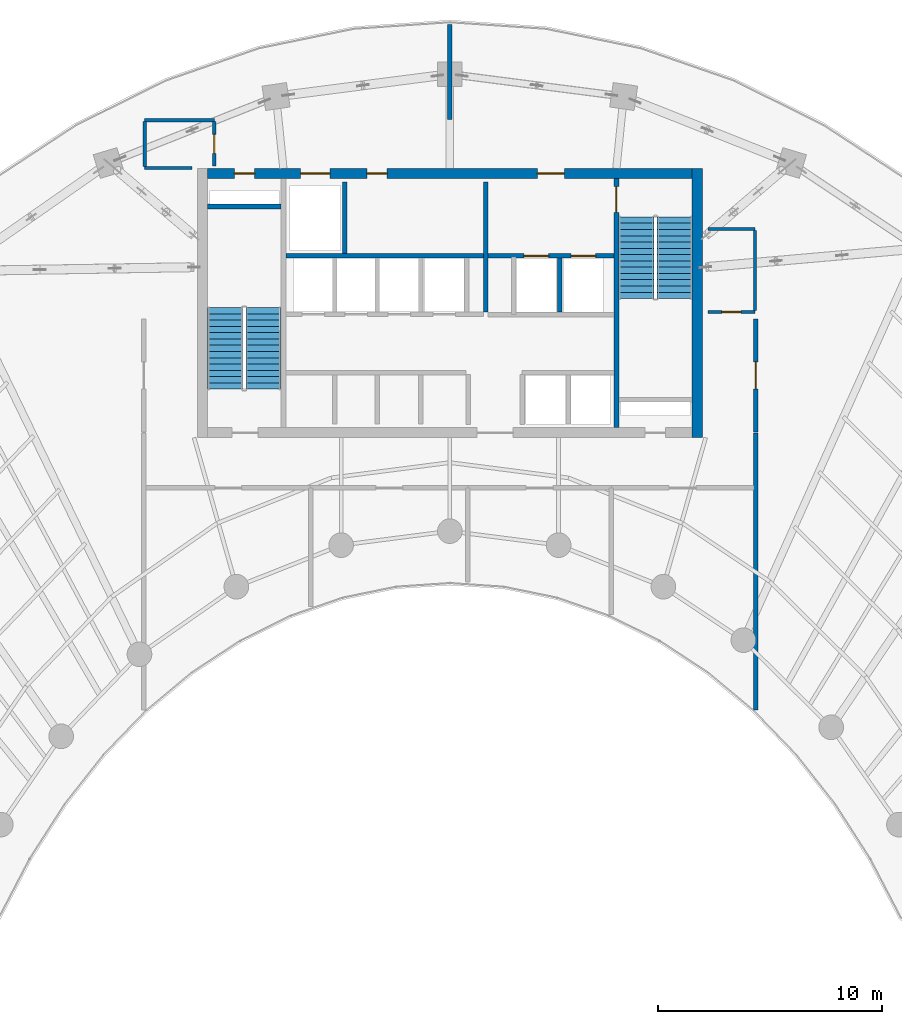
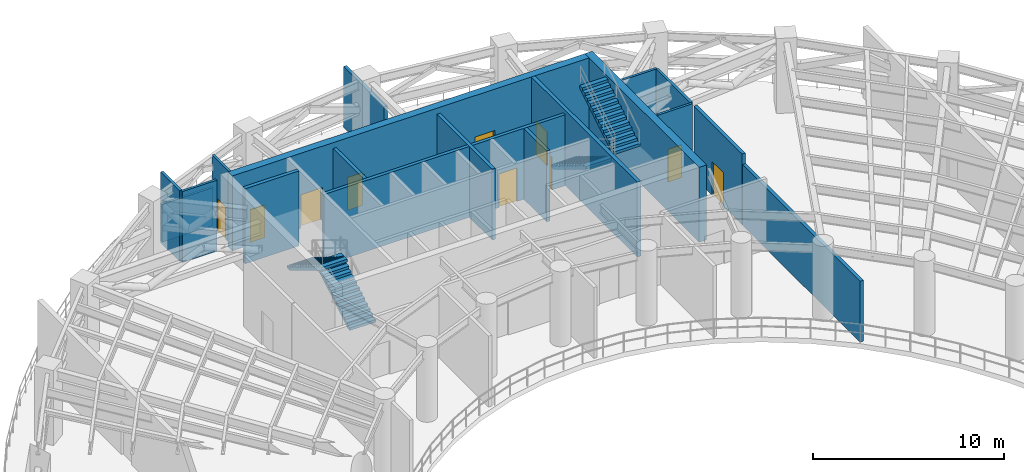
# One storey, part 9 of 19: 19 walls, 10 doors, 4 stair flights, 10 openings, 2 elements without a shape of their own.
"""IFC4 building model written with IfcOpenShell, lengths in metres."""

from ifc_helpers import new_model, si_unit, direction, frame, frame_2d, origin, place, context, subcontext, project, spatial, polyline, rectangle, outline, extrude, source, transform, mapped, material, layer, layer_set, type_object, type_shapes, element, fill, aggregate, save


model = new_model("IFC4")

# Units and contexts
model_context = context("Model", 3, precision=1e-05, world=origin(), true_north=direction((0.0, 1.0)))
body_context = subcontext(model_context, "Body", "Model", "MODEL_VIEW")
ifc_project = project(units=[si_unit("LENGTHUNIT", "METRE"), si_unit("AREAUNIT", "SQUARE_METRE"), si_unit("VOLUMEUNIT", "CUBIC_METRE"), si_unit("PLANEANGLEUNIT", "RADIAN"), si_unit("MASSUNIT", "GRAM", prefix="KILO")], contexts=[model_context])

# Site, building, storey
site_placement = place(None, origin())
site = spatial("IfcSite", under=ifc_project, at=site_placement, CompositionType="ELEMENT")
building_placement = place(site_placement, origin())
building = spatial("IfcBuilding", under=site, at=building_placement, Name="Breltana Convention Tower", CompositionType="ELEMENT")
storey_placement = place(building_placement, frame((0.0, 0.0, 194.39990234375)))
storey = spatial("IfcBuildingStorey", under=building, at=storey_placement, Name="L47", CompositionType="ELEMENT", Elevation=194.39990234375)

# Walls
ifc_material_1 = material(Name="Concrete C50/60", Category="concrete")
ifc_layer_1 = layer(ifc_material_1, 0.39990234375, Name="Concrete C50/60")
ifc_layer_set_1 = layer_set([ifc_layer_1], Name="Concrete C50/60")
wall_type_1 = type_object("IfcWallType", Name="SW-CORE-400", PredefinedType="SHEAR", material=ifc_layer_set_1)
shared_shape_1 = source(origin(), body_context, "Body", "SweptSolid", [
    extrude(rectangle(XDim=3.27001953125, YDim=0.219970703125, at=frame_2d((1.635009765625, 0.0))), origin(), (0.0, 0.0, 1.0), 4.800048828125),
])
wall_1_placement = place(storey_placement, frame((37.199951171875, 70.510009765625, 0.0), z_axis=(0.0, 0.0, 1.0), x_axis=(1.0, 0.0, 0.0)))
element("IfcWall", 1, at=wall_1_placement, inside=storey, type_object=wall_type_1, Name="L47 ST-1 Stairwell North Bearing Wall", PredefinedType="SHEAR", context=body_context, shape_type="MappedRepresentation", body=[
    mapped(shared_shape_1, transform((0.0, 0.0, 0.0), scale=1.0)),
])
ifc_material_2 = material(Name="Concrete C60/75", Category="concrete")
ifc_layer_2 = layer(ifc_material_2, 0.449951171875, Name="Concrete C60/75")
ifc_layer_set_2 = layer_set([ifc_layer_2], Name="Concrete C60/75")
wall_type_2 = type_object("IfcWallType", Name="SW-CORE-450", PredefinedType="SHEAR", material=ifc_layer_set_2)
shared_shape_2 = source(origin(), body_context, "Body", "SweptSolid", [
    extrude(rectangle(XDim=12.0, YDim=0.449951171875, at=frame_2d((6.0, 0.0))), origin(), (0.0, 0.0, 1.0), 4.800048828125),
])
wall_2_placement = place(storey_placement, frame((59.02490234375, 60.199951171875, 0.0), z_axis=(0.0, 0.0, 1.0), x_axis=(0.0, 1.0, 0.0)))
element("IfcWall", 2, at=wall_2_placement, inside=storey, type_object=wall_type_2, Name="L47 East Core Shear Wall", PredefinedType="SHEAR", context=body_context, shape_type="MappedRepresentation", body=[
    mapped(shared_shape_2, transform((0.0, 0.0, 0.0), scale=1.0)),
])

# Wall, openings, doors
shared_shape_3 = source(origin(), body_context, "Body", "SweptSolid", [
    extrude(rectangle(XDim=21.60009765625, YDim=0.449951171875, at=frame_2d((10.800048828125, 0.0))), origin(), (0.0, 0.0, 1.0), 4.800048828125),
])
wall_3_placement = place(storey_placement, frame((37.199951171875, 71.97509765625, 0.0), z_axis=(0.0, 0.0, 1.0), x_axis=(1.0, 0.0, 0.0)))
wall_3 = element("IfcWall", 3, at=wall_3_placement, inside=storey, type_object=wall_type_2, Name="L47 North Core Shear Wall", PredefinedType="SHEAR", context=body_context, shape_type="MappedRepresentation", body=[
    mapped(shared_shape_3, transform((0.0, 0.0, 0.0), scale=1.0)),
])
opening_1_placement = place(wall_3_placement, frame((1.199951171875, 0.0, 0.0)))
opening_1 = element("IfcOpeningElement", 4, at=opening_1_placement, cuts=wall_3, Name="Opening D-18", PredefinedType="OPENING", context=body_context, shape_type="SweptSolid", body=[
    extrude(rectangle(XDim=0.89990234375, YDim=2.10009765625, at=frame_2d((0.449951171875, 1.050048828125))), frame((0.0, 0.23486328125, 0.0), z_axis=(0.0, -1.0, 0.0), x_axis=(1.0, 0.0, 0.0)), (0.0, 0.0, 1.0), 0.469970703125),
])
opening_2_placement = place(wall_3_placement, frame((14.699951171875, 0.0, 0.0)))
opening_2 = element("IfcOpeningElement", 5, at=opening_2_placement, cuts=wall_3, Name="Opening D-09", PredefinedType="OPENING", context=body_context, shape_type="SweptSolid", body=[
    extrude(rectangle(XDim=1.199951171875, YDim=2.14990234375, at=frame_2d((0.60009765625, 1.074951171875))), frame((0.0, 0.23486328125, 0.0), z_axis=(0.0, -1.0, 0.0), x_axis=(1.0, 0.0, 0.0)), (0.0, 0.0, 1.0), 0.469970703125),
])
opening_3_placement = place(wall_3_placement, frame((4.14990234375, 0.0, 0.0)))
opening_3 = element("IfcOpeningElement", 6, at=opening_3_placement, cuts=wall_3, Name="Opening LD-01", PredefinedType="OPENING", context=body_context, shape_type="SweptSolid", body=[
    extrude(rectangle(XDim=1.300048828125, YDim=2.14990234375, at=frame_2d((0.64990234375, 1.074951171875))), frame((0.0, 0.23486328125, 0.0), z_axis=(0.0, -1.0, 0.0), x_axis=(1.0, 0.0, 0.0)), (0.0, 0.0, 1.0), 0.469970703125),
])
opening_4_placement = place(wall_3_placement, frame((7.10009765625, 0.0, 0.0)))
opening_4 = element("IfcOpeningElement", 7, at=opening_4_placement, cuts=wall_3, Name="Opening D-18", PredefinedType="OPENING", context=body_context, shape_type="SweptSolid", body=[
    extrude(rectangle(XDim=0.89990234375, YDim=2.10009765625, at=frame_2d((0.449951171875, 1.050048828125))), frame((0.0, 0.23486328125, 0.0), z_axis=(0.0, -1.0, 0.0), x_axis=(1.0, 0.0, 0.0)), (0.0, 0.0, 1.0), 0.469970703125),
])
ifc_material_3 = material(Name="Steel Riser Fire Door", Category="steel")
door_type_1 = type_object("IfcDoorType", Name="DR-FD60-900", OperationType="NOTDEFINED", PredefinedType="DOOR", material=ifc_material_3)
shared_shape_4 = source(origin(), body_context, "Body", "SweptSolid", [
    extrude(rectangle(XDim=0.89990234375, YDim=2.10009765625, at=frame_2d((0.449951171875, 1.050048828125))), frame((0.0, 0.02490234375, 0.0), z_axis=(0.0, -1.0, 0.0), x_axis=(1.0, 0.0, 0.0)), (0.0, 0.0, 1.0), 0.050048828125),
])
type_shapes(door_type_1, [shared_shape_4])
door_1_placement = place(opening_1_placement, origin())
door_1 = element("IfcDoor", 8, at=door_1_placement, inside=storey, type_object=door_type_1, Name="L47 Core Riser Access Door D-L47-RS1", OperationType="SINGLE_SWING_LEFT", OverallHeight=2.10009765625, OverallWidth=0.89990234375, PredefinedType="DOOR", context=body_context, shape_type="MappedRepresentation", body=[
    mapped(shared_shape_4, transform((0.0, 0.0, 0.0), scale=1.0)),
])
fill(opening_1, door_1)
door_2_placement = place(opening_4_placement, origin())
door_2 = element("IfcDoor", 9, at=door_2_placement, inside=storey, type_object=door_type_1, Name="L47 interior door D-L47-CRA1", OperationType="SINGLE_SWING_LEFT", OverallHeight=2.10009765625, OverallWidth=0.89990234375, PredefinedType="DOOR", context=body_context, shape_type="MappedRepresentation", body=[
    mapped(shared_shape_4, transform((0.0, 0.0, 0.0), scale=1.0)),
])
fill(opening_4, door_2)
ifc_material_4 = material(Name="Steel Fire Lobby Door", Category="steel")
door_type_2 = type_object("IfcDoorType", Name="DR-FD120-1200", OperationType="NOTDEFINED", PredefinedType="DOOR", material=ifc_material_4)
shared_shape_5 = source(origin(), body_context, "Body", "SweptSolid", [
    extrude(rectangle(XDim=1.199951171875, YDim=2.14990234375, at=frame_2d((0.60009765625, 1.074951171875))), frame((0.0, 0.02490234375, 0.0), z_axis=(0.0, -1.0, 0.0), x_axis=(1.0, 0.0, 0.0)), (0.0, 0.0, 1.0), 0.050048828125),
])
type_shapes(door_type_2, [shared_shape_5])
door_3_placement = place(opening_2_placement, origin())
door_3 = element("IfcDoor", 10, at=door_3_placement, inside=storey, type_object=door_type_2, Name="L47 interior door D-L47-FFL-N", OperationType="SINGLE_SWING_RIGHT", OverallHeight=2.14990234375, OverallWidth=1.199951171875, PredefinedType="DOOR", context=body_context, shape_type="MappedRepresentation", body=[
    mapped(shared_shape_5, transform((0.0, 0.0, 0.0), scale=1.0)),
])
fill(opening_2, door_3)
ifc_material_5 = material(Name="Stainless Steel Brushed", Category="steel")
door_type_3 = type_object("IfcDoorType", Name="DR-LD-SRV-1300", OperationType="DOUBLE_DOOR_SLIDING", PredefinedType="DOOR", material=ifc_material_5)
shared_shape_6 = source(origin(), body_context, "Body", "SweptSolid", [
    extrude(rectangle(XDim=1.300048828125, YDim=2.14990234375, at=frame_2d((0.64990234375, 1.074951171875))), frame((0.0, 0.02490234375, 0.0), z_axis=(0.0, -1.0, 0.0), x_axis=(1.0, 0.0, 0.0)), (0.0, 0.0, 1.0), 0.050048828125),
])
type_shapes(door_type_3, [shared_shape_6])
door_4_placement = place(opening_3_placement, origin())
door_4 = element("IfcDoor", 11, at=door_4_placement, inside=storey, type_object=door_type_3, Name="L47 Lift Landing Door D-L47-LD-SV1", OperationType="DOUBLE_DOOR_SLIDING", OverallHeight=2.14990234375, OverallWidth=1.300048828125, PredefinedType="DOOR", context=body_context, shape_type="MappedRepresentation", body=[
    mapped(shared_shape_6, transform((0.0, 0.0, 0.0), scale=1.0)),
])
fill(opening_3, door_4)

# Wall, opening, door
shared_shape_7 = source(origin(), body_context, "Body", "SweptSolid", [
    extrude(rectangle(XDim=11.10009765625, YDim=0.219970703125, at=frame_2d((5.550048828125, 0.0))), origin(), (0.0, 0.0, 1.0), 4.800048828125),
])
wall_4_placement = place(storey_placement, frame((55.419921875, 60.64990234375, 0.0), z_axis=(0.0, 0.0, 1.0), x_axis=(0.0, 1.0, 0.0)))
wall_4 = element("IfcWall", 12, at=wall_4_placement, inside=storey, type_object=wall_type_1, Name="L47 Core East Stair Spine Wall", PredefinedType="SHEAR", context=body_context, shape_type="MappedRepresentation", body=[
    mapped(shared_shape_7, transform((0.0, 0.0, 0.0), scale=1.0)),
])
opening_5_placement = place(wall_4_placement, frame((9.594970703125, 0.0, 0.0)))
opening_5 = element("IfcOpeningElement", 13, at=opening_5_placement, cuts=wall_4, Name="Opening D-11", PredefinedType="OPENING", context=body_context, shape_type="SweptSolid", body=[
    extrude(rectangle(XDim=1.14990234375, YDim=2.14990234375, at=frame_2d((0.574951171875, 1.074951171875))), frame((0.0, 0.1201171875, 0.0), z_axis=(0.0, -1.0, 0.0), x_axis=(1.0, 0.0, 0.0)), (0.0, 0.0, 1.0), 0.239990234375),
])
ifc_material_6 = material(Name="Steel Stair Exit Door", Category="steel")
door_type_4 = type_object("IfcDoorType", Name="DR-FD120-1150", OperationType="NOTDEFINED", PredefinedType="DOOR", material=ifc_material_6)
shared_shape_8 = source(origin(), body_context, "Body", "SweptSolid", [
    extrude(rectangle(XDim=1.14990234375, YDim=2.14990234375, at=frame_2d((0.574951171875, 1.074951171875))), frame((0.0, 0.02490234375, 0.0), z_axis=(0.0, -1.0, 0.0), x_axis=(1.0, 0.0, 0.0)), (0.0, 0.0, 1.0), 0.050048828125),
])
type_shapes(door_type_4, [shared_shape_8])
door_5_placement = place(opening_5_placement, origin())
door_5 = element("IfcDoor", 14, at=door_5_placement, inside=storey, type_object=door_type_4, Name="L47 interior door D-L47-ST2", OperationType="SINGLE_SWING_LEFT", OverallHeight=2.14990234375, OverallWidth=1.14990234375, PredefinedType="DOOR", context=body_context, shape_type="MappedRepresentation", body=[
    mapped(shared_shape_8, transform((0.0, 0.0, 0.0), scale=1.0)),
])
fill(opening_5, door_5)

# Wall
ifc_material_7 = material(Name="Gypsum Acoustic Drywall Partition")
ifc_layer_3 = layer(ifc_material_7, 0.14990234375, Name="Gypsum Acoustic Drywall Partition")
ifc_layer_set_3 = layer_set([ifc_layer_3], Name="Gypsum Acoustic Drywall Partition")
wall_type_3 = type_object("IfcWallType", Name="WL-PART-150", PredefinedType="PARTITIONING", material=ifc_layer_set_3)
shared_shape_9 = source(origin(), body_context, "Body", "SweptSolid", [
    extrude(rectangle(XDim=3.10009765625, YDim=0.14990234375, at=frame_2d((1.550048828125, 0.0))), origin(), (0.0, 0.0, 1.0), 2.424560546875),
])
wall_5_placement = place(storey_placement, frame((34.39990234375, 74.35009765625, 0.0), z_axis=(0.0, 0.0, 1.0), x_axis=(1.0, 0.0, 0.0)))
element("IfcWall", 15, at=wall_5_placement, inside=storey, type_object=wall_type_3, Name="L47 interior partition W-L47-CRNE-N", PredefinedType="PARTITIONING", context=body_context, shape_type="MappedRepresentation", body=[
    mapped(shared_shape_9, transform((0.0, 0.0, 0.0), scale=1.0)),
])

# Wall, openings, doors
ifc_material_8 = material(Name="Autoclaved Aerated Concrete Block", Category="concrete")
ifc_layer_4 = layer(ifc_material_8, 0.199951171875, Name="Autoclaved Aerated Concrete Block")
ifc_layer_set_4 = layer_set([ifc_layer_4], Name="Autoclaved Aerated Concrete Block")
wall_type_4 = type_object("IfcWallType", Name="WL-SHAFT-200", PredefinedType="SOLIDWALL", material=ifc_layer_set_4)
shared_shape_10 = source(origin(), body_context, "Body", "SweptSolid", [
    extrude(rectangle(XDim=5.6201171875, YDim=0.199951171875, at=frame_2d((2.81005859375, 0.0))), origin(), (0.0, 0.0, 1.0), 4.5400390625),
])
wall_6_placement = place(storey_placement, frame((49.699951171875, 68.300048828125, 0.0), z_axis=(0.0, 0.0, 1.0), x_axis=(1.0, 0.0, 0.0)))
wall_6 = element("IfcWall", 16, at=wall_6_placement, inside=storey, type_object=wall_type_4, Name="L47 interior partition W-L47-FFL-S", PredefinedType="SOLIDWALL", context=body_context, shape_type="MappedRepresentation", body=[
    mapped(shared_shape_10, transform((0.0, 0.0, 0.0), scale=1.0)),
])
opening_6_placement = place(wall_6_placement, frame((1.60009765625, 0.0, 0.0)))
opening_6 = element("IfcOpeningElement", 17, at=opening_6_placement, cuts=wall_6, Name="Opening LD-03", PredefinedType="OPENING", context=body_context, shape_type="SweptSolid", body=[
    extrude(rectangle(XDim=1.10009765625, YDim=2.14990234375, at=frame_2d((0.550048828125, 1.074951171875))), frame((0.0, 0.10986328125, 0.0), z_axis=(0.0, -1.0, 0.0), x_axis=(1.0, 0.0, 0.0)), (0.0, 0.0, 1.0), 0.219970703125),
])
opening_7_placement = place(wall_6_placement, frame((3.699951171875, 0.0, 0.0)))
opening_7 = element("IfcOpeningElement", 18, at=opening_7_placement, cuts=wall_6, Name="Opening LD-03", PredefinedType="OPENING", context=body_context, shape_type="SweptSolid", body=[
    extrude(rectangle(XDim=1.10009765625, YDim=2.14990234375, at=frame_2d((0.550048828125, 1.074951171875))), frame((0.0, 0.10986328125, 0.0), z_axis=(0.0, -1.0, 0.0), x_axis=(1.0, 0.0, 0.0)), (0.0, 0.0, 1.0), 0.219970703125),
])
door_type_5 = type_object("IfcDoorType", Name="DR-LD-FF-1100", OperationType="DOUBLE_DOOR_SLIDING", PredefinedType="DOOR", material=ifc_material_5)
shared_shape_11 = source(origin(), body_context, "Body", "SweptSolid", [
    extrude(rectangle(XDim=1.10009765625, YDim=2.14990234375, at=frame_2d((0.550048828125, 1.074951171875))), frame((0.0, 0.02490234375, 0.0), z_axis=(0.0, -1.0, 0.0), x_axis=(1.0, 0.0, 0.0)), (0.0, 0.0, 1.0), 0.050048828125),
])
type_shapes(door_type_5, [shared_shape_11])
door_6_placement = place(opening_6_placement, origin())
door_6 = element("IfcDoor", 19, at=door_6_placement, inside=storey, type_object=door_type_5, Name="L47 Lift Landing Door D-L47-LD-FL1", OperationType="DOUBLE_DOOR_SLIDING", OverallHeight=2.14990234375, OverallWidth=1.10009765625, PredefinedType="DOOR", context=body_context, shape_type="MappedRepresentation", body=[
    mapped(shared_shape_11, transform((0.0, 0.0, 0.0), scale=1.0)),
])
fill(opening_6, door_6)
door_7_placement = place(opening_7_placement, origin())
door_7 = element("IfcDoor", 20, at=door_7_placement, inside=storey, type_object=door_type_5, Name="L47 Lift Landing Door D-L47-LD-FL2", OperationType="DOUBLE_DOOR_SLIDING", OverallHeight=2.14990234375, OverallWidth=1.10009765625, PredefinedType="DOOR", context=body_context, shape_type="MappedRepresentation", body=[
    mapped(shared_shape_11, transform((0.0, 0.0, 0.0), scale=1.0)),
])
fill(opening_7, door_7)

# Walls
shared_shape_12 = source(origin(), body_context, "Body", "SweptSolid", [
    extrude(rectangle(XDim=5.800048828125, YDim=0.199951171875, at=frame_2d((2.89990234375, 0.0))), origin(), (0.0, 0.0, 1.0), 4.5400390625),
])
wall_7_placement = place(storey_placement, frame((49.60009765625, 65.800048828125, 0.0), z_axis=(0.0, 0.0, 1.0), x_axis=(0.0, 1.0, 0.0)))
element("IfcWall", 21, at=wall_7_placement, inside=storey, type_object=wall_type_4, Name="L47 interior partition W-L47-FFL-W", PredefinedType="SOLIDWALL", context=body_context, shape_type="MappedRepresentation", body=[
    mapped(shared_shape_12, transform((0.0, 0.0, 0.0), scale=1.0)),
])
shared_shape_13 = source(origin(), body_context, "Body", "SweptSolid", [
    extrude(rectangle(XDim=2.39990234375, YDim=0.199951171875, at=frame_2d((1.199951171875, 0.0))), origin(), (0.0, 0.0, 1.0), 4.5400390625),
])
wall_8_placement = place(storey_placement, frame((52.89990234375, 65.800048828125, 0.0), z_axis=(0.0, 0.0, 1.0), x_axis=(0.0, 1.0, 0.0)))
element("IfcWall", 22, at=wall_8_placement, inside=storey, type_object=wall_type_4, Name="L47 interior partition W-L47-FL-DIV", PredefinedType="SOLIDWALL", context=body_context, shape_type="MappedRepresentation", body=[
    mapped(shared_shape_13, transform((0.0, 0.0, 0.0), scale=1.0)),
])
shared_shape_14 = source(origin(), body_context, "Body", "SweptSolid", [
    extrude(rectangle(XDim=3.2001953125, YDim=0.199951171875, at=frame_2d((1.60009765625, 0.0))), origin(), (0.0, 0.0, 1.0), 4.5400390625),
])
wall_9_placement = place(storey_placement, frame((43.320068359375, 68.39990234375, 0.0), z_axis=(0.0, 0.0, 1.0), x_axis=(0.0, 1.0, 0.0)))
element("IfcWall", 23, at=wall_9_placement, inside=storey, type_object=wall_type_4, Name="L47 interior partition W-L47-SV-E", PredefinedType="SOLIDWALL", context=body_context, shape_type="MappedRepresentation", body=[
    mapped(shared_shape_14, transform((0.0, 0.0, 0.0), scale=1.0)),
])
shared_shape_15 = source(origin(), body_context, "Body", "SweptSolid", [
    extrude(rectangle(XDim=8.800048828125, YDim=0.199951171875, at=frame_2d((4.39990234375, 0.0))), origin(), (0.0, 0.0, 1.0), 4.5400390625),
])
wall_10_placement = place(storey_placement, frame((40.699951171875, 68.300048828125, 0.0), z_axis=(0.0, 0.0, 1.0), x_axis=(1.0, 0.0, 0.0)))
element("IfcWall", 24, at=wall_10_placement, inside=storey, type_object=wall_type_4, Name="L47 interior partition W-L47-SV-S", PredefinedType="SOLIDWALL", context=body_context, shape_type="MappedRepresentation", body=[
    mapped(shared_shape_15, transform((0.0, 0.0, 0.0), scale=1.0)),
])
shared_shape_16 = source(origin(), body_context, "Body", "SweptSolid", [
    extrude(rectangle(XDim=2.10009765625, YDim=0.14990234375, at=frame_2d((1.050048828125, 0.0))), origin(), (0.0, 0.0, 1.0), 4.5400390625),
])
wall_11_placement = place(storey_placement, frame((34.39990234375, 72.219970703125, 0.0), z_axis=(0.0, 0.0, 1.0), x_axis=(1.0, 0.0, 0.0)))
element("IfcWall", 25, at=wall_11_placement, inside=storey, type_object=wall_type_3, Name="L47 interior partition W-L47-CRNE-S", PredefinedType="PARTITIONING", context=body_context, shape_type="MappedRepresentation", body=[
    mapped(shared_shape_16, transform((0.0, 0.0, 0.0), scale=1.0)),
])

# Wall, opening, door
wall_12_placement = place(storey_placement, frame((59.5, 65.800048828125, 0.0), z_axis=(0.0, 0.0, 1.0), x_axis=(1.0, 0.0, 0.0)))
wall_12 = element("IfcWall", 26, at=wall_12_placement, inside=storey, type_object=wall_type_3, Name="L47 interior partition W-L47-CRSE-S", PredefinedType="PARTITIONING", context=body_context, shape_type="MappedRepresentation", body=[
    mapped(shared_shape_16, transform((0.0, 0.0, 0.0), scale=1.0)),
])
opening_8_placement = place(wall_12_placement, frame((0.625, 0.0, 0.0)))
opening_8 = element("IfcOpeningElement", 27, at=opening_8_placement, cuts=wall_12, Name="Opening D-20", PredefinedType="OPENING", context=body_context, shape_type="SweptSolid", body=[
    extrude(rectangle(XDim=0.85009765625, YDim=2.10009765625, at=frame_2d((0.425048828125, 1.050048828125))), frame((0.0, 0.0849609375, 0.0), z_axis=(0.0, -1.0, 0.0), x_axis=(1.0, 0.0, 0.0)), (0.0, 0.0, 1.0), 0.169921875),
])
ifc_material_9 = material(Name="Steel Closet Fire Door", Category="steel")
door_type_6 = type_object("IfcDoorType", Name="DR-FD60-850", OperationType="NOTDEFINED", PredefinedType="DOOR", material=ifc_material_9)
shared_shape_17 = source(origin(), body_context, "Body", "SweptSolid", [
    extrude(rectangle(XDim=0.85009765625, YDim=2.10009765625, at=frame_2d((0.425048828125, 1.050048828125))), frame((0.0, 0.02490234375, 0.0), z_axis=(0.0, -1.0, 0.0), x_axis=(1.0, 0.0, 0.0)), (0.0, 0.0, 1.0), 0.050048828125),
])
type_shapes(door_type_6, [shared_shape_17])
door_8_placement = place(opening_8_placement, origin())
door_8 = element("IfcDoor", 28, at=door_8_placement, inside=storey, type_object=door_type_6, Name="L47 interior door D-L47-CRSE", OperationType="SINGLE_SWING_LEFT", OverallHeight=2.10009765625, OverallWidth=0.85009765625, PredefinedType="DOOR", context=body_context, shape_type="MappedRepresentation", body=[
    mapped(shared_shape_17, transform((0.0, 0.0, 0.0), scale=1.0)),
])
fill(opening_8, door_8)

# Walls
wall_13_placement = place(storey_placement, frame((59.5, 69.5, 0.0), z_axis=(0.0, 0.0, 1.0), x_axis=(1.0, 0.0, 0.0)))
element("IfcWall", 29, at=wall_13_placement, inside=storey, type_object=wall_type_3, Name="L47 interior partition W-L47-CRSE-N", PredefinedType="PARTITIONING", context=body_context, shape_type="MappedRepresentation", body=[
    mapped(shared_shape_16, transform((0.0, 0.0, 0.0), scale=1.0)),
])
shared_shape_18 = source(origin(), body_context, "Body", "SweptSolid", [
    extrude(rectangle(XDim=1.994873046875, YDim=0.14990234375, at=frame_2d((0.99755859375, 0.0))), origin(), (0.0, 0.0, 1.0), 4.5400390625),
])
wall_14_placement = place(storey_placement, frame((34.39990234375, 72.28759765625, 0.0), z_axis=(0.0, 0.0, 1.0), x_axis=(0.0, 1.0, 0.0)))
element("IfcWall", 30, at=wall_14_placement, inside=storey, type_object=wall_type_3, Name="L47 interior partition W-L47-CRNE-W", PredefinedType="PARTITIONING", context=body_context, shape_type="MappedRepresentation", body=[
    mapped(shared_shape_18, transform((0.0, 0.0, 0.0), scale=1.0)),
])

# Wall, opening, door
shared_shape_19 = source(origin(), body_context, "Body", "SweptSolid", [
    extrude(rectangle(XDim=1.982421875, YDim=0.14990234375, at=frame_2d((0.9912109375, 0.0))), origin(), (0.0, 0.0, 1.0), 4.5400390625),
])
wall_15_placement = place(storey_placement, frame((37.5, 72.300048828125, 0.0), z_axis=(0.0, 0.0, 1.0), x_axis=(0.0, 1.0, 0.0)))
wall_15 = element("IfcWall", 31, at=wall_15_placement, inside=storey, type_object=wall_type_3, Name="L47 interior partition W-L47-CRNE-E", PredefinedType="PARTITIONING", context=body_context, shape_type="MappedRepresentation", body=[
    mapped(shared_shape_19, transform((0.0, 0.0, 0.0), scale=1.0)),
])
opening_9_placement = place(wall_15_placement, frame((0.56640625, 0.0, 0.0)))
opening_9 = element("IfcOpeningElement", 32, at=opening_9_placement, cuts=wall_15, Name="Opening D-20", PredefinedType="OPENING", context=body_context, shape_type="SweptSolid", body=[
    extrude(rectangle(XDim=0.85009765625, YDim=2.10009765625, at=frame_2d((0.425048828125, 1.050048828125))), frame((0.0, 0.0849609375, 0.0), z_axis=(0.0, -1.0, 0.0), x_axis=(1.0, 0.0, 0.0)), (0.0, 0.0, 1.0), 0.169921875),
])
door_9_placement = place(opening_9_placement, origin())
door_9 = element("IfcDoor", 33, at=door_9_placement, inside=storey, type_object=door_type_6, Name="L47 interior door D-L47-CRNE", OperationType="SINGLE_SWING_RIGHT", OverallHeight=2.10009765625, OverallWidth=0.85009765625, PredefinedType="DOOR", context=body_context, shape_type="MappedRepresentation", body=[
    mapped(shared_shape_17, transform((0.0, 0.0, 0.0), scale=1.0)),
])
fill(opening_9, door_9)

# Walls
shared_shape_20 = source(origin(), body_context, "Body", "SweptSolid", [
    extrude(rectangle(XDim=3.565185546875, YDim=0.14990234375, at=frame_2d((1.78271484375, 0.0))), origin(), (0.0, 0.0, 1.0), 4.5400390625),
])
wall_16_placement = place(storey_placement, frame((61.60009765625, 65.867431640625, 0.0), z_axis=(0.0, 0.0, 1.0), x_axis=(0.0, 1.0, 0.0)))
element("IfcWall", 34, at=wall_16_placement, inside=storey, type_object=wall_type_3, Name="L47 interior partition W-L47-CRSE-E", PredefinedType="PARTITIONING", context=body_context, shape_type="MappedRepresentation", body=[
    mapped(shared_shape_20, transform((0.0, 0.0, 0.0), scale=1.0)),
])
shared_shape_21 = source(origin(), body_context, "Body", "SweptSolid", [
    extrude(rectangle(XDim=4.24560546875, YDim=0.199951171875, at=frame_2d((2.122802734375, 0.0))), origin(), (0.0, 0.0, 1.0), 3.898193359375),
])
wall_17_placement = place(storey_placement, frame((48.0, 74.3798828125, 0.0), z_axis=(0.0, 0.0, 1.0), x_axis=(0.0, 1.0, 0.0)))
element("IfcWall", 35, at=wall_17_placement, inside=storey, type_object=wall_type_4, Name="L47 interior partition W-L47-TPLS-N48", PredefinedType="SOLIDWALL", context=body_context, shape_type="MappedRepresentation", body=[
    mapped(shared_shape_21, transform((0.0, 0.0, 0.0), scale=1.0)),
])

# Wall, opening, door
shared_shape_22 = source(origin(), body_context, "Body", "SweptSolid", [
    extrude(rectangle(XDim=5.050048828125, YDim=0.199951171875, at=frame_2d((2.52490234375, 0.0))), origin(), (0.0, 0.0, 1.0), 4.5400390625),
])
wall_18_placement = place(storey_placement, frame((61.639892578125, 60.449951171875, 0.0), z_axis=(0.0, 0.0, 1.0), x_axis=(0.0, 1.0, 0.0)))
wall_18 = element("IfcWall", 36, at=wall_18_placement, inside=storey, type_object=wall_type_4, Name="L47 interior partition W-L47-REFE-D", PredefinedType="SOLIDWALL", context=body_context, shape_type="MappedRepresentation", body=[
    mapped(shared_shape_22, transform((0.0, 0.0, 0.0), scale=1.0)),
])
opening_10_placement = place(wall_18_placement, frame((1.925048828125, 0.0, 0.0)))
opening_10 = element("IfcOpeningElement", 37, at=opening_10_placement, cuts=wall_18, Name="Opening D-09", PredefinedType="OPENING", context=body_context, shape_type="SweptSolid", body=[
    extrude(rectangle(XDim=1.199951171875, YDim=2.14990234375, at=frame_2d((0.60009765625, 1.074951171875))), frame((0.0, 0.10986328125, 0.0), z_axis=(0.0, -1.0, 0.0), x_axis=(1.0, 0.0, 0.0)), (0.0, 0.0, 1.0), 0.219970703125),
])
door_10_placement = place(opening_10_placement, origin())
door_10 = element("IfcDoor", 38, at=door_10_placement, inside=storey, type_object=door_type_2, Name="L47 interior door D-L47-REFE", OperationType="SINGLE_SWING_LEFT", OverallHeight=2.14990234375, OverallWidth=1.199951171875, PredefinedType="DOOR", context=body_context, shape_type="MappedRepresentation", body=[
    mapped(shared_shape_5, transform((0.0, 0.0, 0.0), scale=1.0)),
])
fill(opening_10, door_10)

# Wall
shared_shape_23 = source(origin(), body_context, "Body", "SweptSolid", [
    extrude(rectangle(XDim=12.335693359375, YDim=0.199951171875, at=frame_2d((6.16796875, 0.0))), origin(), (0.0, 0.0, 1.0), 3.898193359375),
])
wall_19_placement = place(storey_placement, frame((61.639892578125, 48.064208984375, 0.0), z_axis=(0.0, 0.0, 1.0), x_axis=(0.0, 1.0, 0.0)))
element("IfcWall", 39, at=wall_19_placement, inside=storey, type_object=wall_type_4, Name="L47 interior partition W-L47-REFE-S", PredefinedType="SOLIDWALL", context=body_context, shape_type="MappedRepresentation", body=[
    mapped(shared_shape_23, transform((0.0, 0.0, 0.0), scale=1.0)),
])

# Stair, stair flights
ifc_material_10 = material(Name="Concrete C40/50", Category="concrete")
stair_type = type_object("IfcStairType", Name="ST-DOG-1560-R171", PredefinedType="HALF_TURN_STAIR", material=ifc_material_10)
stair_1_placement = place(storey_placement, origin())
stair_1 = element("IfcStair", 40, at=stair_1_placement, inside=storey, type_object=stair_type, Name="L47 Protected Core Exit Stair ST-1", PredefinedType="HALF_TURN_STAIR")
stair_flight_type = type_object("IfcStairFlightType", Name="STF-DOG-1560-N14-R171", PredefinedType="STRAIGHT", material=ifc_material_10)
stair_flight_1_placement = place(storey_placement, frame((39.68994140625, 62.360107421875, 0.0), z_axis=(0.0, 0.0, 1.0), x_axis=(0.0, 1.0, 0.0)))
stair_flight_1 = element("IfcStairFlight", 41, at=stair_flight_1_placement, type_object=stair_flight_type, Name="ST-1 flight 1", NumberOfRisers=14, NumberOfTreads=13, PredefinedType="STRAIGHT", RiserHeight=0.171428571, TreadLength=0.28, context=body_context, shape_type="SweptSolid", body=[
    extrude(outline(polyline([(0.0, 0.0), (0.0, 0.17138671875), (0.280029296875, 0.17138671875), (0.280029296875, 0.3427734375), (0.56005859375, 0.3427734375), (0.56005859375, 0.514404296875), (0.840087890625, 0.514404296875), (0.840087890625, 0.685791015625), (1.1201171875, 0.685791015625), (1.1201171875, 0.857177734375), (1.39990234375, 0.857177734375), (1.39990234375, 1.028564453125), (1.679931640625, 1.028564453125), (1.679931640625, 1.199951171875), (1.9599609375, 1.199951171875), (1.9599609375, 1.371337890625), (2.239990234375, 1.371337890625), (2.239990234375, 1.54296875), (2.52001953125, 1.54296875), (2.52001953125, 1.71435546875), (2.800048828125, 1.71435546875), (2.800048828125, 1.8857421875), (3.080078125, 1.8857421875), (3.080078125, 2.05712890625), (3.360107421875, 2.05712890625), (3.360107421875, 2.228515625), (3.639892578125, 2.228515625), (3.639892578125, 2.39990234375), (3.639892578125, 2.052734375), (0.287109375, 0.0), (0.0, 0.0)])), frame((0.0, 0.780029296875, 0.0), z_axis=(0.0, -1.0, 0.0), x_axis=(1.0, 0.0, 0.0)), (0.0, 0.0, 1.0), 1.56005859375),
])
stair_flight_2_placement = place(storey_placement, frame((37.97998046875, 66.0, 2.400146484375), z_axis=(0.0, 0.0, 1.0), x_axis=(0.0, -1.0, 0.0)))
stair_flight_2 = element("IfcStairFlight", 42, at=stair_flight_2_placement, type_object=stair_flight_type, Name="ST-1 flight 2", NumberOfRisers=14, NumberOfTreads=13, PredefinedType="STRAIGHT", RiserHeight=0.171428571, TreadLength=0.28, context=body_context, shape_type="SweptSolid", body=[
    extrude(outline(polyline([(0.0, 0.0), (0.0, 0.17138671875), (0.280029296875, 0.17138671875), (0.280029296875, 0.3427734375), (0.56005859375, 0.3427734375), (0.56005859375, 0.514404296875), (0.840087890625, 0.514404296875), (0.840087890625, 0.685791015625), (1.1201171875, 0.685791015625), (1.1201171875, 0.857177734375), (1.39990234375, 0.857177734375), (1.39990234375, 1.028564453125), (1.679931640625, 1.028564453125), (1.679931640625, 1.199951171875), (1.9599609375, 1.199951171875), (1.9599609375, 1.371337890625), (2.239990234375, 1.371337890625), (2.239990234375, 1.54296875), (2.52001953125, 1.54296875), (2.52001953125, 1.71435546875), (2.800048828125, 1.71435546875), (2.800048828125, 1.8857421875), (3.080078125, 1.8857421875), (3.080078125, 2.05712890625), (3.360107421875, 2.05712890625), (3.360107421875, 2.228515625), (3.639892578125, 2.228515625), (3.639892578125, 2.39990234375), (3.639892578125, 2.052734375), (0.287109375, 0.0), (0.0, 0.0)])), frame((0.0, 0.780029296875, 0.0), z_axis=(0.0, -1.0, 0.0), x_axis=(1.0, 0.0, 0.0)), (0.0, 0.0, 1.0), 1.56005859375),
])
aggregate(stair_1, [stair_flight_1, stair_flight_2])

stair_2_placement = place(storey_placement, origin())
stair_2 = element("IfcStair", 43, at=stair_2_placement, inside=storey, type_object=stair_type, Name="L47 Protected Core Exit Stair ST-2", PredefinedType="HALF_TURN_STAIR")
stair_flight_3_placement = place(storey_placement, frame((56.31005859375, 70.0400390625, 0.0), z_axis=(0.0, 0.0, 1.0), x_axis=(0.0, -1.0, 0.0)))
stair_flight_3 = element("IfcStairFlight", 44, at=stair_flight_3_placement, type_object=stair_flight_type, Name="ST-2 flight 1", NumberOfRisers=14, NumberOfTreads=13, PredefinedType="STRAIGHT", RiserHeight=0.171428571, TreadLength=0.28, context=body_context, shape_type="SweptSolid", body=[
    extrude(outline(polyline([(0.0, 0.0), (0.0, 0.17138671875), (0.280029296875, 0.17138671875), (0.280029296875, 0.3427734375), (0.56005859375, 0.3427734375), (0.56005859375, 0.514404296875), (0.840087890625, 0.514404296875), (0.840087890625, 0.685791015625), (1.1201171875, 0.685791015625), (1.1201171875, 0.857177734375), (1.39990234375, 0.857177734375), (1.39990234375, 1.028564453125), (1.679931640625, 1.028564453125), (1.679931640625, 1.199951171875), (1.9599609375, 1.199951171875), (1.9599609375, 1.371337890625), (2.239990234375, 1.371337890625), (2.239990234375, 1.54296875), (2.52001953125, 1.54296875), (2.52001953125, 1.71435546875), (2.800048828125, 1.71435546875), (2.800048828125, 1.8857421875), (3.080078125, 1.8857421875), (3.080078125, 2.05712890625), (3.360107421875, 2.05712890625), (3.360107421875, 2.228515625), (3.639892578125, 2.228515625), (3.639892578125, 2.39990234375), (3.639892578125, 2.052734375), (0.287109375, 0.0), (0.0, 0.0)])), frame((0.0, 0.780029296875, 0.0), z_axis=(0.0, -1.0, 0.0), x_axis=(1.0, 0.0, 0.0)), (0.0, 0.0, 1.0), 1.56005859375),
])
stair_flight_4_placement = place(storey_placement, frame((58.02001953125, 66.39990234375, 2.400146484375), z_axis=(0.0, 0.0, 1.0), x_axis=(0.0, 1.0, 0.0)))
stair_flight_4 = element("IfcStairFlight", 45, at=stair_flight_4_placement, type_object=stair_flight_type, Name="ST-2 flight 2", NumberOfRisers=14, NumberOfTreads=13, PredefinedType="STRAIGHT", RiserHeight=0.171428571, TreadLength=0.28, context=body_context, shape_type="SweptSolid", body=[
    extrude(outline(polyline([(0.0, 0.0), (0.0, 0.17138671875), (0.280029296875, 0.17138671875), (0.280029296875, 0.3427734375), (0.56005859375, 0.3427734375), (0.56005859375, 0.514404296875), (0.840087890625, 0.514404296875), (0.840087890625, 0.685791015625), (1.1201171875, 0.685791015625), (1.1201171875, 0.857177734375), (1.39990234375, 0.857177734375), (1.39990234375, 1.028564453125), (1.679931640625, 1.028564453125), (1.679931640625, 1.199951171875), (1.9599609375, 1.199951171875), (1.9599609375, 1.371337890625), (2.239990234375, 1.371337890625), (2.239990234375, 1.54296875), (2.52001953125, 1.54296875), (2.52001953125, 1.71435546875), (2.800048828125, 1.71435546875), (2.800048828125, 1.8857421875), (3.080078125, 1.8857421875), (3.080078125, 2.05712890625), (3.360107421875, 2.05712890625), (3.360107421875, 2.228515625), (3.639892578125, 2.228515625), (3.639892578125, 2.39990234375), (3.639892578125, 2.052734375), (0.287109375, 0.0), (0.0, 0.0)])), frame((0.0, 0.780029296875, 0.0), z_axis=(0.0, -1.0, 0.0), x_axis=(1.0, 0.0, 0.0)), (0.0, 0.0, 1.0), 1.56005859375),
])
aggregate(stair_2, [stair_flight_3, stair_flight_4])

save(model, "model.ifc")
